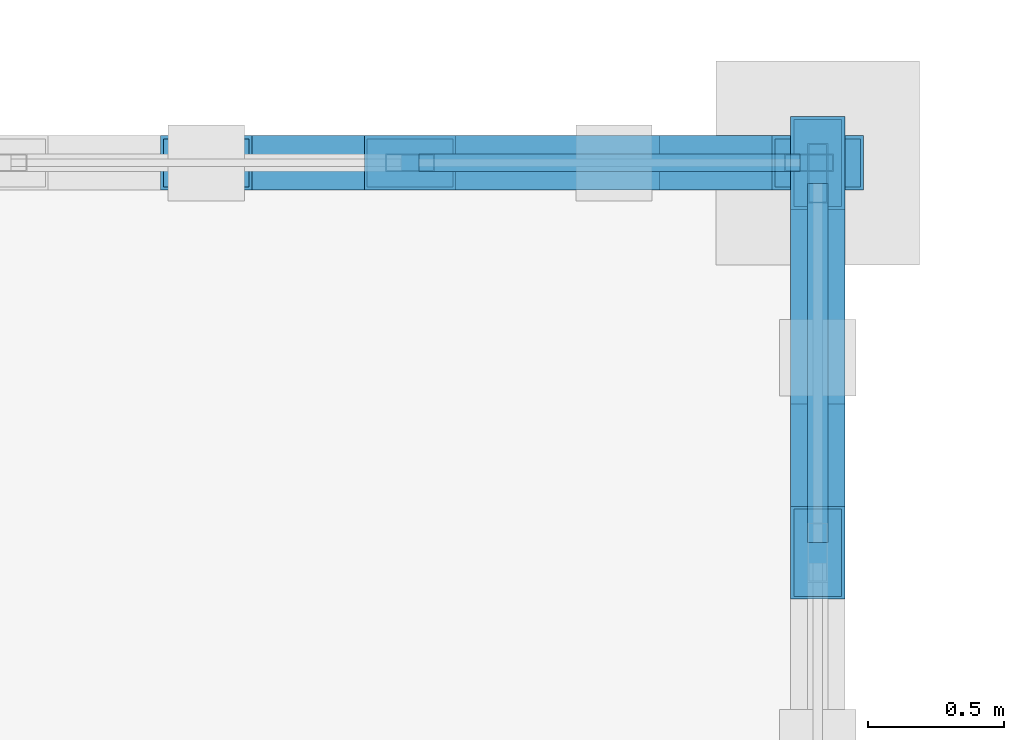
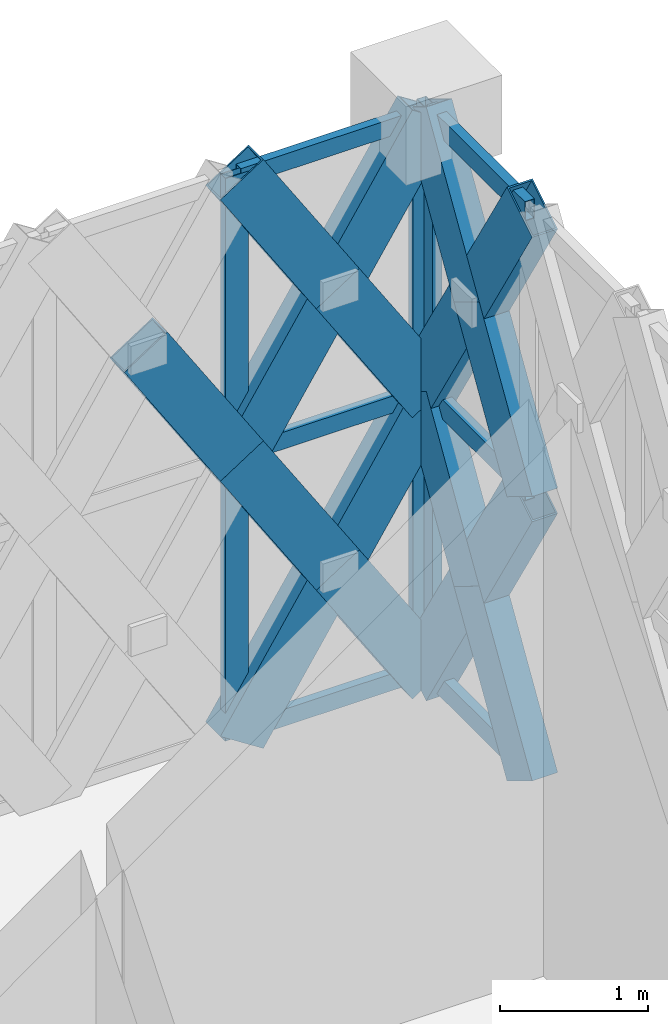
# One storey, part 55 of 72: 22 members, 2 elements without a shape of their own.
"""IFC4 building model written with IfcOpenShell, lengths in metres."""

from ifc_helpers import new_model, si_unit, direction, frame, origin, origin_2d, place, context, subcontext, project, spatial, hollow_rectangle, extrude, material, material_profile, profile_set, type_object, element, aggregate, save


model = new_model("IFC4")

# Units and contexts
model_context = context("Model", 3, precision=1e-05, world=origin(), true_north=direction((0.0, 1.0)))
body_context = subcontext(model_context, "Body", "Model", "MODEL_VIEW")
ifc_project = project(units=[si_unit("LENGTHUNIT", "METRE"), si_unit("AREAUNIT", "SQUARE_METRE"), si_unit("VOLUMEUNIT", "CUBIC_METRE"), si_unit("PLANEANGLEUNIT", "RADIAN"), si_unit("MASSUNIT", "GRAM", prefix="KILO")], contexts=[model_context])

# Site, building, storey
site_placement = place(None, origin())
site = spatial("IfcSite", under=ifc_project, at=site_placement, CompositionType="ELEMENT")
building_placement = place(site_placement, origin())
building = spatial("IfcBuilding", under=site, at=building_placement, Name="Haizhuo Lancet Aquarium", CompositionType="ELEMENT")
storey_placement = place(building_placement, frame((0.0, 0.0, 21.60009765625)))
storey = spatial("IfcBuildingStorey", under=building, at=storey_placement, Name="L04", CompositionType="ELEMENT", Elevation=21.60009765625)

# Curtain wall, members
ifc_material_1 = material(Name="Aluminium 6063-T6", Category="aluminium")
curtain_wall_type_1 = type_object("IfcCurtainWallType", Name="CWD-9000x4650", PredefinedType="NOTDEFINED", material=ifc_material_1)
curtain_wall_1_placement = place(storey_placement, origin())
curtain_wall_1 = element("IfcCurtainWall", 1, at=curtain_wall_1_placement, inside=storey, type_object=curtain_wall_type_1, Name="L04 curtain wall CW-V5-L04-181", PredefinedType="NOTDEFINED")
ifc_material_profile_1 = material_profile(ifc_material_1, hollow_rectangle(XDim=0.06494140625, YDim=0.179931640625, WallThickness=0.00390625, at=origin_2d()), Name="ALU-M 65x180x4")
ifc_profile_set_1 = profile_set([ifc_material_profile_1], Name="Aluminium 6063-T6")
member_type_1 = type_object("IfcMemberType", Name="CW-MUL-1", PredefinedType="MULLION", material=ifc_profile_set_1)
member_1_placement = place(storey_placement, frame((25.5, 54.0, 0.0), z_axis=(0.0, 0.0, 1.0), x_axis=(0.0, 1.0, 0.0)))
member_1 = element("IfcMember", 2, at=member_1_placement, type_object=member_type_1, Name="CWD-90x46 mullion 6", PredefinedType="MULLION", context=body_context, shape_type="SweptSolid", body=[
    extrude(hollow_rectangle(XDim=0.06494140625, YDim=0.179931640625, WallThickness=0.00390625, at=origin_2d()), origin(), (0.0, 0.0, 1.0), 4.64990234375),
])
member_2_placement = place(storey_placement, frame((26.968017578125, 54.0, 0.0), z_axis=(0.0, 0.0, 1.0), x_axis=(0.0, 1.0, 0.0)))
member_2 = element("IfcMember", 3, at=member_2_placement, type_object=member_type_1, Name="CWD-90x46 mullion 7", PredefinedType="MULLION", context=body_context, shape_type="SweptSolid", body=[
    extrude(hollow_rectangle(XDim=0.06494140625, YDim=0.179931640625, WallThickness=0.00390625, at=origin_2d()), origin(), (0.0, 0.0, 1.0), 4.64990234375),
])

# Curtain wall, member
curtain_wall_type_2 = type_object("IfcCurtainWallType", Name="CWD-8600x4700", PredefinedType="NOTDEFINED", material=ifc_material_1)
curtain_wall_2_placement = place(storey_placement, origin())
curtain_wall_2 = element("IfcCurtainWall", 4, at=curtain_wall_2_placement, inside=storey, type_object=curtain_wall_type_2, Name="L04 curtain wall CW-V5-L04-182", PredefinedType="NOTDEFINED")
ifc_material_profile_2 = material_profile(ifc_material_1, hollow_rectangle(XDim=0.074951171875, YDim=0.219970703125, WallThickness=0.0048828125, at=origin_2d()), Name="ALU-M 75x220x5")
ifc_profile_set_2 = profile_set([ifc_material_profile_2], Name="Aluminium 6063-T6")
member_type_2 = type_object("IfcMemberType", Name="CW-MUL-2", PredefinedType="MULLION", material=ifc_profile_set_2)
member_3_placement = place(storey_placement, frame((27.0, 53.9619140625, 0.0), z_axis=(0.0, 0.0, 1.0), x_axis=(1.0, 0.0, 0.0)))
member_3 = element("IfcMember", 5, at=member_3_placement, type_object=member_type_2, Name="CWD-86x47 mullion 1", PredefinedType="MULLION", context=body_context, shape_type="SweptSolid", body=[
    extrude(hollow_rectangle(XDim=0.074951171875, YDim=0.219970703125, WallThickness=0.0048828125, at=origin_2d()), origin(), (0.0, 0.0, 1.0), 4.699951171875),
])

# Member
ifc_material_profile_3 = material_profile(ifc_material_1, hollow_rectangle(XDim=0.06494140625, YDim=0.139892578125, WallThickness=0.00390625, at=origin_2d()), Name="ALU-T 65x140x4")
ifc_profile_set_3 = profile_set([ifc_material_profile_3], Name="Aluminium 6063-T6")
member_type_3 = type_object("IfcMemberType", Name="CW-TRN-1", PredefinedType="NOTDEFINED", material=ifc_profile_set_3)
member_4_placement = place(storey_placement, frame((25.531982421875, 54.0, 0.032958984375), z_axis=(1.0, 0.0, 0.0), x_axis=(0.0, 1.0, 0.0)))
member_4 = element("IfcMember", 6, at=member_4_placement, type_object=member_type_3, Name="CWD-90x46 transom 6.1", ObjectType="TRANSOM", PredefinedType="USERDEFINED", context=body_context, shape_type="SweptSolid", body=[
    extrude(hollow_rectangle(XDim=0.06494140625, YDim=0.139892578125, WallThickness=0.00390625, at=origin_2d()), origin(), (0.0, 0.0, 1.0), 1.403076171875),
])

member_5_placement = place(storey_placement, frame((25.531982421875, 54.0, 2.324951171875), z_axis=(1.0, 0.0, 0.0), x_axis=(0.0, 1.0, 0.0)))
member_5 = element("IfcMember", 7, at=member_5_placement, type_object=member_type_3, Name="CWD-90x46 transom 6.2", ObjectType="TRANSOM", PredefinedType="USERDEFINED", context=body_context, shape_type="SweptSolid", body=[
    extrude(hollow_rectangle(XDim=0.06494140625, YDim=0.139892578125, WallThickness=0.00390625, at=origin_2d()), origin(), (0.0, 0.0, 1.0), 1.403076171875),
])

member_6_placement = place(storey_placement, frame((25.531982421875, 54.0, 4.617919921875), z_axis=(1.0, 0.0, 0.0), x_axis=(0.0, 1.0, 0.0)))
member_6 = element("IfcMember", 8, at=member_6_placement, type_object=member_type_3, Name="CWD-90x46 transom 6.3", ObjectType="TRANSOM", PredefinedType="USERDEFINED", context=body_context, shape_type="SweptSolid", body=[
    extrude(hollow_rectangle(XDim=0.06494140625, YDim=0.139892578125, WallThickness=0.00390625, at=origin_2d()), origin(), (0.0, 0.0, 1.0), 1.403076171875),
])

aggregate(curtain_wall_1, [member_1, member_2, member_4, member_5, member_6])

ifc_material_profile_4 = material_profile(ifc_material_1, hollow_rectangle(XDim=0.074951171875, YDim=0.159912109375, WallThickness=0.00390625, at=origin_2d()), Name="ALU-T 75x160x4")
ifc_profile_set_4 = profile_set([ifc_material_profile_4], Name="Aluminium 6063-T6")
member_type_4 = type_object("IfcMemberType", Name="CW-TRN-2", PredefinedType="NOTDEFINED", material=ifc_profile_set_4)
member_7_placement = place(storey_placement, frame((27.0, 53.925048828125, 0.037841796875), z_axis=(0.0, -1.0, 0.0), x_axis=(1.0, 0.0, 0.0)))
member_7 = element("IfcMember", 9, at=member_7_placement, type_object=member_type_4, Name="CWD-86x47 transom 1.1", ObjectType="TRANSOM", PredefinedType="USERDEFINED", context=body_context, shape_type="SweptSolid", body=[
    extrude(hollow_rectangle(XDim=0.074951171875, YDim=0.159912109375, WallThickness=0.00390625, at=origin_2d()), origin(), (0.0, 0.0, 1.0), 1.322021484375),
])

member_8_placement = place(storey_placement, frame((27.0, 53.925048828125, 2.349853515625), z_axis=(0.0, -1.0, 0.0), x_axis=(1.0, 0.0, 0.0)))
member_8 = element("IfcMember", 10, at=member_8_placement, type_object=member_type_4, Name="CWD-86x47 transom 1.2", ObjectType="TRANSOM", PredefinedType="USERDEFINED", context=body_context, shape_type="SweptSolid", body=[
    extrude(hollow_rectangle(XDim=0.074951171875, YDim=0.159912109375, WallThickness=0.00390625, at=origin_2d()), origin(), (0.0, 0.0, 1.0), 1.322021484375),
])

member_9_placement = place(storey_placement, frame((27.0, 53.925048828125, 4.661865234375), z_axis=(0.0, -1.0, 0.0), x_axis=(1.0, 0.0, 0.0)))
member_9 = element("IfcMember", 11, at=member_9_placement, type_object=member_type_4, Name="CWD-86x47 transom 1.3", ObjectType="TRANSOM", PredefinedType="USERDEFINED", context=body_context, shape_type="SweptSolid", body=[
    extrude(hollow_rectangle(XDim=0.074951171875, YDim=0.159912109375, WallThickness=0.00390625, at=origin_2d()), origin(), (0.0, 0.0, 1.0), 1.322021484375),
])

aggregate(curtain_wall_2, [member_3, member_7, member_8, member_9])

# Members
ifc_material_2 = material(Name="Steel S355", Category="steel")
ifc_material_profile_5 = material_profile(ifc_material_2, hollow_rectangle(XDim=0.199951171875, YDim=0.39990234375, WallThickness=0.011962890625, at=origin_2d()), Name="RHS 200x400x12")
ifc_profile_set_5 = profile_set([ifc_material_profile_5], Name="Steel S355")
member_type_5 = type_object("IfcMemberType", Name="MEM-LB-RHS200x400", PredefinedType="BRACE", material=ifc_profile_set_5)
member_10_placement = place(storey_placement, frame((25.5, 54.0, 2.324951171875), z_axis=(-0.542335953068, 0.0, 0.840161718962), x_axis=(0.0, -1.0, 0.0)))
element("IfcMember", 12, at=member_10_placement, inside=storey, type_object=member_type_5, Name="Gothic lancet split diagonal brace CW-V5-L04-181 10B1", PredefinedType="BRACE", context=body_context, shape_type="SweptSolid", body=[
    extrude(hollow_rectangle(XDim=0.199951171875, YDim=0.39990234375, WallThickness=0.011962890625, at=origin_2d()), origin(), (0.0, 0.0, 1.0), 1.3828125),
])
member_11_placement = place(storey_placement, frame((25.5, 54.0, 0.0), z_axis=(0.542134909125, 0.0, 0.840291461523), x_axis=(0.0, 1.0, 0.0)))
element("IfcMember", 13, at=member_11_placement, inside=storey, type_object=member_type_5, Name="Gothic lancet continuous diagonal brace CW-V5-L04-181 11A", PredefinedType="BRACE", context=body_context, shape_type="SweptSolid", body=[
    extrude(hollow_rectangle(XDim=0.199951171875, YDim=0.39990234375, WallThickness=0.011962890625, at=origin_2d()), origin(), (0.0, 0.0, 1.0), 2.766845703125),
])
member_12_placement = place(storey_placement, frame((27.0, 54.0, 0.0), z_axis=(-0.542014339406, 0.0, 0.840369237822), x_axis=(0.0, -1.0, 0.0)))
element("IfcMember", 14, at=member_12_placement, inside=storey, type_object=member_type_5, Name="Gothic lancet split diagonal brace CW-V5-L04-181 11B1", PredefinedType="BRACE", context=body_context, shape_type="SweptSolid", body=[
    extrude(hollow_rectangle(XDim=0.199951171875, YDim=0.39990234375, WallThickness=0.011962890625, at=origin_2d()), origin(), (0.0, 0.0, 1.0), 1.3837890625),
])
member_13_placement = place(storey_placement, frame((26.25, 54.0, 1.162841796875), z_axis=(-0.542255521326, 0.0, 0.840213633305), x_axis=(0.0, -1.0, 0.0)))
element("IfcMember", 15, at=member_13_placement, inside=storey, type_object=member_type_5, Name="Gothic lancet split diagonal brace CW-V5-L04-181 11B2", PredefinedType="BRACE", context=body_context, shape_type="SweptSolid", body=[
    extrude(hollow_rectangle(XDim=0.199951171875, YDim=0.39990234375, WallThickness=0.011962890625, at=origin_2d()), origin(), (0.0, 0.0, 1.0), 1.383056640625),
])
member_14_placement = place(storey_placement, frame((25.5, 54.0, 2.324951171875), z_axis=(0.542134909125, 0.0, 0.840291461523), x_axis=(0.0, 1.0, 0.0)))
element("IfcMember", 16, at=member_14_placement, inside=storey, type_object=member_type_5, Name="Gothic lancet continuous diagonal brace CW-V5-L04-181 12A", PredefinedType="BRACE", context=body_context, shape_type="SweptSolid", body=[
    extrude(hollow_rectangle(XDim=0.199951171875, YDim=0.39990234375, WallThickness=0.011962890625, at=origin_2d()), origin(), (0.0, 0.0, 1.0), 2.766845703125),
])
member_15_placement = place(storey_placement, frame((27.0, 54.0, 2.324951171875), z_axis=(-0.542335953068, 0.0, 0.840161718962), x_axis=(0.0, -1.0, 0.0)))
element("IfcMember", 17, at=member_15_placement, inside=storey, type_object=member_type_5, Name="Gothic lancet split diagonal brace CW-V5-L04-181 12B1", PredefinedType="BRACE", context=body_context, shape_type="SweptSolid", body=[
    extrude(hollow_rectangle(XDim=0.199951171875, YDim=0.39990234375, WallThickness=0.011962890625, at=origin_2d()), origin(), (0.0, 0.0, 1.0), 1.3828125),
])
member_16_placement = place(storey_placement, frame((26.25, 54.0, 3.48681640625), z_axis=(-0.541933983188, 0.0, 0.840421059866), x_axis=(0.0, -1.0, 0.0)))
element("IfcMember", 18, at=member_16_placement, inside=storey, type_object=member_type_5, Name="Gothic lancet split diagonal brace CW-V5-L04-181 12B2", PredefinedType="BRACE", context=body_context, shape_type="SweptSolid", body=[
    extrude(hollow_rectangle(XDim=0.199951171875, YDim=0.39990234375, WallThickness=0.011962890625, at=origin_2d()), origin(), (0.0, 0.0, 1.0), 1.384033203125),
])
member_17_placement = place(storey_placement, frame((27.0, 54.0, 0.0), z_axis=(0.0, -0.52093693604, 0.853595166732), x_axis=(1.0, 0.0, 0.0)))
element("IfcMember", 19, at=member_17_placement, inside=storey, type_object=member_type_5, Name="Gothic lancet continuous diagonal brace CW-V5-L04-182 1A", PredefinedType="BRACE", context=body_context, shape_type="SweptSolid", body=[
    extrude(hollow_rectangle(XDim=0.199951171875, YDim=0.39990234375, WallThickness=0.011962890625, at=origin_2d()), origin(), (0.0, 0.0, 1.0), 2.7529296875),
])
member_18_placement = place(storey_placement, frame((27.0, 52.56591796875, 0.0), z_axis=(0.0, 0.520976374056, 0.853571097024), x_axis=(-1.0, 0.0, 0.0)))
element("IfcMember", 20, at=member_18_placement, inside=storey, type_object=member_type_5, Name="Gothic lancet split diagonal brace CW-V5-L04-182 1B1", PredefinedType="BRACE", context=body_context, shape_type="SweptSolid", body=[
    extrude(hollow_rectangle(XDim=0.199951171875, YDim=0.39990234375, WallThickness=0.011962890625, at=origin_2d()), origin(), (0.0, 0.0, 1.0), 1.376220703125),
])
member_19_placement = place(storey_placement, frame((27.0, 53.282958984375, 1.1748046875), z_axis=(0.0, 0.520897502883, 0.853619230975), x_axis=(-1.0, 0.0, 0.0)))
element("IfcMember", 21, at=member_19_placement, inside=storey, type_object=member_type_5, Name="Gothic lancet split diagonal brace CW-V5-L04-182 1B2", PredefinedType="BRACE", context=body_context, shape_type="SweptSolid", body=[
    extrude(hollow_rectangle(XDim=0.199951171875, YDim=0.39990234375, WallThickness=0.011962890625, at=origin_2d()), origin(), (0.0, 0.0, 1.0), 1.37646484375),
])
member_20_placement = place(storey_placement, frame((27.0, 54.0, 2.349853515625), z_axis=(0.0, -0.520897502883, 0.853619230975), x_axis=(1.0, 0.0, 0.0)))
element("IfcMember", 22, at=member_20_placement, inside=storey, type_object=member_type_5, Name="Gothic lancet continuous diagonal brace CW-V5-L04-182 2A", PredefinedType="BRACE", context=body_context, shape_type="SweptSolid", body=[
    extrude(hollow_rectangle(XDim=0.199951171875, YDim=0.39990234375, WallThickness=0.011962890625, at=origin_2d()), origin(), (0.0, 0.0, 1.0), 2.753173828125),
])
for number, where, z_axis, x_axis, name in (
    (23, (27.0, 52.56591796875, 2.349853515625), (0.0, 0.520897502883, 0.853619230975), (-1.0, 0.0, 0.0), "Gothic lancet split diagonal brace CW-V5-L04-182 2B1"),
    (24, (27.0, 53.282958984375, 3.52490234375), (0.0, 0.520897502883, 0.853619230975), (-1.0, 0.0, 0.0), "Gothic lancet split diagonal brace CW-V5-L04-182 2B2"),
):
    element("IfcMember", number, at=place(storey_placement, frame(where, z_axis=z_axis, x_axis=x_axis)), inside=storey, type_object=member_type_5, Name=name, PredefinedType="BRACE", context=body_context, shape_type="SweptSolid", body=[
        extrude(hollow_rectangle(XDim=0.199951171875, YDim=0.39990234375, WallThickness=0.011962890625, at=origin_2d()), origin(), (0.0, 0.0, 1.0), 1.37646484375),
    ])

save(model, "model.ifc")
